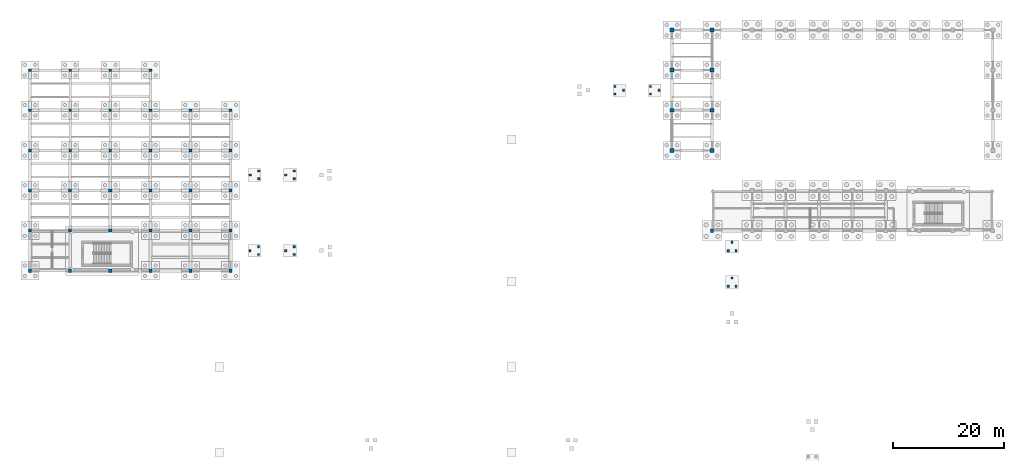
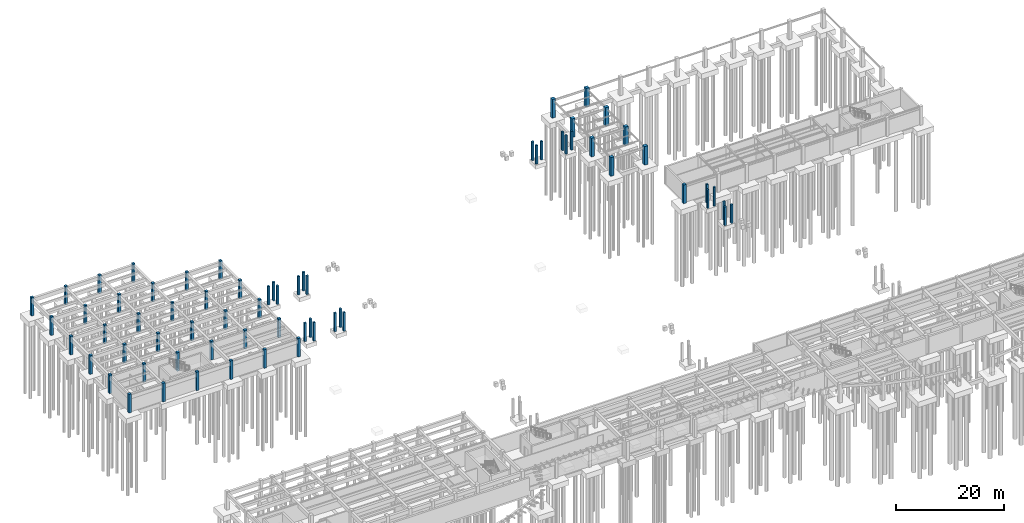
# One storey, part 9 of 31: 67 columns.
"""IFC4 building model written with IfcOpenShell, lengths in metres."""

import ifcopenshell
import ifcopenshell.guid

model = None  # the IFC model being written
_history = None  # IfcOwnerHistory: only IFC2X3 demands one
_inside = {}  # id of a spatial element -> (the spatial element, [elements in it])
_under = {}  # id of a project, library or spatial element -> (it, [spatial elements below it])
_declared = {}  # id of a project -> (the project, [libraries it declares])
_typed = {}  # id of a type object -> (the type object, [elements of that type])
_made_of = {}  # id of a material, layer set ... -> (it, [elements and type objects made of it])


def new_model(schema):
    """Start an empty IFC model of exactly this schema.

    Asked for "IFC4X3", IfcOpenShell would pick the latest addendum, in which some entities
    have other attributes; the version numbers below select the first issue.
    IFC2X3 requires an IfcOwnerHistory on every rooted entity: one is made here for all.
    """
    global model, _history
    if schema == "IFC4X3":
        model = ifcopenshell.file(schema_version=(4, 3, 0, 0))
    else:
        model = ifcopenshell.file(schema=schema)
    _inside.clear()
    _under.clear()
    _declared.clear()
    _typed.clear()
    _made_of.clear()
    _history = None
    if model.schema == "IFC2X3":
        org = make("IfcOrganization", Name="unknown")
        user = make(
            "IfcPersonAndOrganization",
            ThePerson=make("IfcPerson", FamilyName="unknown"),
            TheOrganization=org,
        )
        app = make(
            "IfcApplication",
            ApplicationDeveloper=org,
            Version="unknown",
            ApplicationFullName="unknown",
            ApplicationIdentifier="unknown",
        )
        _history = make(
            "IfcOwnerHistory",
            OwningUser=user,
            OwningApplication=app,
            ChangeAction="ADDED",
            CreationDate=0,
        )
    return model


def make(cls, **values):
    """One entity of the class cls with the attributes given. An attribute that is None is left unset."""
    return model.create_entity(
        cls, **{name: value for name, value in values.items() if value is not None}
    )


def rooted(cls, **values):
    """An entity with a GlobalId (a new one), such as an element, a storey or a relation."""
    return make(cls, GlobalId=ifcopenshell.guid.new(), OwnerHistory=_history, **values)


def si_unit(unit_type, name, prefix=None):
    """IfcSIUnit, for example si_unit("LENGTHUNIT", "METRE", prefix="MILLI")."""
    return make("IfcSIUnit", UnitType=unit_type, Prefix=prefix, Name=name)


def assignment(units):
    """IfcUnitAssignment: the units of a project."""
    return None if units is None else make("IfcUnitAssignment", Units=units)


def point(xyz):
    """IfcCartesianPoint."""
    return None if xyz is None else make("IfcCartesianPoint", Coordinates=xyz)


def direction(xyz):
    """IfcDirection."""
    return None if xyz is None else make("IfcDirection", DirectionRatios=xyz)


def frame(location, z_axis=None, x_axis=None):
    """IfcAxis2Placement3D, a coordinate frame: its origin and axes. An axis left out is left unset."""
    return make(
        "IfcAxis2Placement3D",
        Location=point(location),
        Axis=direction(z_axis),
        RefDirection=direction(x_axis),
    )


def frame_2d(location, x_axis=None):
    """IfcAxis2Placement2D, a coordinate frame in the plane: its origin and x axis."""
    return make(
        "IfcAxis2Placement2D", Location=point(location), RefDirection=direction(x_axis)
    )


def origin():
    """The frame at (0, 0, 0) with its axes left unset."""
    return frame((0.0, 0.0, 0.0))


def origin_2d():
    """The frame at (0, 0) in the plane with its x axis left unset."""
    return frame_2d((0.0, 0.0))


def place(relative_to, where):
    """IfcLocalPlacement: puts the frame where relative to a parent placement (None: the world)."""
    return make(
        "IfcLocalPlacement", PlacementRelTo=relative_to, RelativePlacement=where
    )


def context(
    kind, dimensions, precision=None, world=None, true_north=None, identifier=None
):
    """IfcGeometricRepresentationContext, for example the 3D "Model" context."""
    return make(
        "IfcGeometricRepresentationContext",
        ContextIdentifier=identifier,
        ContextType=kind,
        CoordinateSpaceDimension=dimensions,
        Precision=precision,
        WorldCoordinateSystem=world,
        TrueNorth=true_north,
    )


def subcontext(parent, identifier, kind, view, scale=None):
    """IfcGeometricRepresentationSubContext, for example "Body" below "Model"."""
    return make(
        "IfcGeometricRepresentationSubContext",
        ContextIdentifier=identifier,
        ContextType=kind,
        ParentContext=parent,
        TargetScale=scale,
        TargetView=view,
    )


def project(units=None, contexts=None):
    """IfcProject with its units and contexts."""
    return rooted(
        "IfcProject",
        Name="project",
        RepresentationContexts=contexts,
        UnitsInContext=assignment(units),
    )


def spatial(cls, under=None, at=None, **own):
    """A site, building, storey or space (cls), placed at a placement, below another one or the project."""
    s = rooted(cls, ObjectPlacement=at, **own)
    if under is not None:
        _under.setdefault(under.id(), (under, []))[1].append(s)
    return s


def profile(cls, at=None, kind="AREA", **sizes):
    """A parametric profile (cls). Its sizes go by their IFC names, for example OverallWidth=200.0."""
    return make(cls, ProfileType=kind, Position=at, **sizes)


def rectangle(**sizes):
    """IfcRectangleProfileDef."""
    return profile("IfcRectangleProfileDef", **sizes)


def extrude(swept, where, along, depth):
    """IfcExtrudedAreaSolid: the profile swept, set in the frame where, extruded along a direction by depth."""
    return make(
        "IfcExtrudedAreaSolid",
        SweptArea=swept,
        Position=where,
        ExtrudedDirection=direction(along),
        Depth=depth,
    )


def shape(context_of_items, identifier, shape_type, items):
    """IfcShapeRepresentation: the items that make up one representation, for example the "Body"."""
    return make(
        "IfcShapeRepresentation",
        ContextOfItems=context_of_items,
        RepresentationIdentifier=identifier,
        RepresentationType=shape_type,
        Items=items,
    )


def material(Name=None, Category=None):
    """IfcMaterial."""
    return make("IfcMaterial", Name=Name, Category=Category)


def material_profile(
    of_material, cross_section, Name=None, Category=None, Priority=None
):
    """IfcMaterialProfile: a cross section and its material."""
    return make(
        "IfcMaterialProfile",
        Name=Name,
        Material=of_material,
        Profile=cross_section,
        Priority=Priority,
        Category=Category,
    )


def profile_set(profiles, Name=None, composite=None):
    """IfcMaterialProfileSet."""
    return make(
        "IfcMaterialProfileSet",
        Name=Name,
        MaterialProfiles=profiles,
        CompositeProfile=composite,
    )


def made_of(thing, what):
    """Note that an element or type object is made of a material, layer set ...; save() writes the relation."""
    if what is not None:
        _made_of.setdefault(what.id(), (what, []))[1].append(thing)
    return thing


def type_object(cls, material=None, **own):
    """A type object (cls), such as IfcWallType, which elements share."""
    return made_of(rooted(cls, **own), material)


def element(
    cls,
    number,
    at=None,
    inside=None,
    cuts=None,
    type_object=None,
    material=None,
    context=None,
    identifier="Body",
    shape_type=None,
    held_by="IfcProductDefinitionShape",
    body=None,
    shapes=None,
    **own,
):
    """One element of the class cls, such as IfcWall. Its Tag is "e" and its number.

    at: its placement. inside: the storey or other place that contains it. cuts: it is an
    opening in that element (IfcRelVoidsElement). A single representation is given by context,
    identifier, shape_type and body (its items); several are given by shapes. held_by: the class
    of the entity that holds the representations. save() writes the other relations.
    """
    e = rooted(cls, Tag="e%d" % number, ObjectPlacement=at, **own)
    if body is not None:
        shapes = [shape(context, identifier, shape_type, body)]
    if shapes is not None:
        e.Representation = make(held_by, Representations=shapes)
    if inside is not None:
        _inside.setdefault(inside.id(), (inside, []))[1].append(e)
    if cuts is not None:
        rooted(
            "IfcRelVoidsElement", RelatingBuildingElement=cuts, RelatedOpeningElement=e
        )
    if type_object is not None:
        _typed.setdefault(type_object.id(), (type_object, []))[1].append(e)
    return made_of(e, material)


def aggregate(whole, parts):
    """IfcRelAggregates: a whole, such as a stair, and the parts it consists of."""
    return rooted("IfcRelAggregates", RelatingObject=whole, RelatedObjects=parts)


def save(model, path):
    """Write the relations noted so far, then the file.

    IfcRelAggregates (storeys below a building ...), IfcRelContainedInSpatialStructure (elements
    in a storey), IfcRelDefinesByType, IfcRelAssociatesMaterial and IfcRelDeclares: one each for
    every whole, place, type object, material and project.
    """
    for whole, parts in _under.values():
        aggregate(whole, parts)
    for where, things in _inside.values():
        rooted(
            "IfcRelContainedInSpatialStructure",
            RelatedElements=things,
            RelatingStructure=where,
        )
    for kind, things in _typed.values():
        rooted("IfcRelDefinesByType", RelatedObjects=things, RelatingType=kind)
    for what, things in _made_of.values():
        rooted("IfcRelAssociatesMaterial", RelatedObjects=things, RelatingMaterial=what)
    for by, libraries in _declared.values():
        rooted("IfcRelDeclares", RelatingContext=by, RelatedDefinitions=libraries)
    model.write(path)


model = new_model("IFC4")

# Units and contexts
model_context = context("Model", 3, precision=1e-05, world=origin(), true_north=direction((0.0, 1.0)))
body_context = subcontext(model_context, "Body", "Model", "MODEL_VIEW")
ifc_project = project(units=[si_unit("LENGTHUNIT", "METRE"), si_unit("AREAUNIT", "SQUARE_METRE"), si_unit("VOLUMEUNIT", "CUBIC_METRE"), si_unit("PLANEANGLEUNIT", "RADIAN"), si_unit("MASSUNIT", "GRAM", prefix="KILO")], contexts=[model_context])

# Site, building, storey
site_placement = place(None, origin())
site = spatial("IfcSite", under=ifc_project, at=site_placement, CompositionType="ELEMENT")
building_placement = place(site_placement, origin())
building = spatial("IfcBuilding", under=site, at=building_placement, Name="Brisavento Harbour Community Centre", CompositionType="ELEMENT")
storey_placement = place(building_placement, frame((0.0, 0.0, -4.199951171875)))
storey = spatial("IfcBuildingStorey", under=building, at=storey_placement, Name="B1", CompositionType="ELEMENT", Elevation=-4.199951171875)

# Columns
ifc_material_1 = material(Name="Concrete C35/45", Category="concrete")
ifc_material_profile_1 = material_profile(ifc_material_1, rectangle(XDim=0.39990234375, YDim=0.39990234375, at=origin_2d()), Name="Concrete C35/45")
ifc_profile_set_1 = profile_set([ifc_material_profile_1], Name="Concrete C35/45")
column_type_1 = type_object("IfcColumnType", Name="COL-RC-400", PredefinedType="COLUMN", material=ifc_profile_set_1)
for number, where, z_axis, x_axis, name in (
    (1, (126.68994140625, 69.199951171875, 0.0), (0.0, 0.0, 1.0), (1.0, 0.0, 0.0), "MST-03 MID support column 1 B1"),
    (2, (125.31005859375, 69.199951171875, 0.0), (0.0, 0.0, 1.0), (1.0, 0.0, 0.0), "MST-03 MID support column 2 B1"),
    (3, (126.0, 70.7099609375, 0.0), (0.0, 0.0, 1.0), (1.0, 0.0, 0.0), "MST-03 MID support column 3 B1"),
    (4, (126.68994140625, 75.590087890625, 0.0), (0.0, 0.0, 1.0), (1.0, 0.0, 0.0), "MST-03 TOP support column 1 B1"),
    (5, (125.31005859375, 75.590087890625, 0.0), (0.0, 0.0, 1.0), (1.0, 0.0, 0.0), "MST-03 TOP support column 2 B1"),
    (6, (126.0, 77.10009765625, 0.0), (0.0, 0.0, 1.0), (1.0, 0.0, 0.0), "MST-03 TOP support column 3 B1"),
    (7, (47.39990234375, 76.2900390625, 0.0), (0.0, 0.0, 1.0), (1.0, 0.0, 0.0), "MST-04 MID support column 1 B1"),
    (8, (47.39990234375, 74.909912109375, 0.0), (0.0, 0.0, 1.0), (1.0, 0.0, 0.0), "MST-04 MID support column 2 B1"),
    (9, (45.889892578125, 75.60009765625, 0.0), (0.0, 0.0, 1.0), (1.0, 0.0, 0.0), "MST-04 MID support column 3 B1"),
    (10, (41.010009765625, 76.2900390625, 0.0), (0.0, 0.0, 1.0), (1.0, 0.0, 0.0), "MST-04 TOP support column 1 B1"),
    (11, (41.010009765625, 74.909912109375, 0.0), (0.0, 0.0, 1.0), (1.0, 0.0, 0.0), "MST-04 TOP support column 2 B1"),
    (12, (39.5, 75.60009765625, 0.0), (0.0, 0.0, 1.0), (1.0, 0.0, 0.0), "MST-04 TOP support column 3 B1"),
    (13, (105.0, 103.719970703125, 0.0), (0.0, 0.0, 1.0), (1.0, 0.0, 0.0), "MST-06 MID support column 1 B1"),
    (14, (105.0, 105.080078125, 0.0), (0.0, 0.0, 1.0), (1.0, 0.0, 0.0), "MST-06 MID support column 2 B1"),
    (15, (106.489990234375, 104.39990234375, 0.0), (0.0, 0.0, 1.0), (1.0, 0.0, 0.0), "MST-06 MID support column 3 B1"),
    (16, (111.3701171875, 103.719970703125, 0.0), (0.0, 0.0, 1.0), (1.0, 0.0, 0.0), "MST-06 TOP support column 1 B1"),
    (17, (111.3701171875, 105.080078125, 0.0), (0.0, 0.0, 1.0), (1.0, 0.0, 0.0), "MST-06 TOP support column 2 B1"),
    (18, (112.860107421875, 104.39990234375, 0.0), (0.0, 0.0, 1.0), (1.0, 0.0, 0.0), "MST-06 TOP support column 3 B1"),
    (19, (47.39990234375, 89.8798828125, 0.0), (0.0, 0.0, 1.0), (1.0, 0.0, 0.0), "MST-07 MID support column 1 B1"),
    (20, (47.39990234375, 88.52001953125, 0.0), (0.0, 0.0, 1.0), (1.0, 0.0, 0.0), "MST-07 MID support column 2 B1"),
    (21, (45.909912109375, 89.199951171875, 0.0), (0.0, 0.0, 1.0), (1.0, 0.0, 0.0), "MST-07 MID support column 3 B1"),
    (22, (41.030029296875, 89.8798828125, 0.0), (0.0, 0.0, 1.0), (1.0, 0.0, 0.0), "MST-07 TOP support column 1 B1"),
    (23, (41.030029296875, 88.52001953125, 0.0), (0.0, 0.0, 1.0), (1.0, 0.0, 0.0), "MST-07 TOP support column 2 B1"),
    (24, (39.5400390625, 89.199951171875, 0.0), (0.0, 0.0, 1.0), (1.0, 0.0, 0.0), "MST-07 TOP support column 3 B1"),
):
    element("IfcColumn", number, at=place(storey_placement, frame(where, z_axis=z_axis, x_axis=x_axis)), inside=storey, type_object=column_type_1, Name=name, PredefinedType="COLUMN", context=body_context, shape_type="SweptSolid", body=[
        extrude(rectangle(XDim=0.39990234375, YDim=0.39990234375, at=origin_2d()), origin(), (0.0, 0.0, 1.0), 4.199951171875),
    ])
ifc_material_profile_2 = material_profile(ifc_material_1, rectangle(XDim=0.5, YDim=0.5, at=origin_2d()), Name="Concrete C35/45")
ifc_profile_set_2 = profile_set([ifc_material_profile_2], Name="Concrete C35/45")
column_type_2 = type_object("IfcColumnType", Name="COL-RC-500", PredefinedType="COLUMN", material=ifc_profile_set_2)
for number, where, z_axis, x_axis, name in (
    (25, (0.0, 93.60009765625, 0.0), (0.0, 0.0, 1.0), (1.0, 0.0, 0.0), "B1 column V5N-0-93"),
    (26, (0.0, 100.800048828125, 0.0), (0.0, 0.0, 1.0), (1.0, 0.0, 0.0), "B1 column V5N-0-100"),
    (27, (7.199951171875, 93.60009765625, 0.0), (0.0, 0.0, 1.0), (1.0, 0.0, 0.0), "B1 column V5N-7-93"),
    (28, (7.199951171875, 100.800048828125, 0.0), (0.0, 0.0, 1.0), (1.0, 0.0, 0.0), "B1 column V5N-7-100"),
    (29, (14.39990234375, 93.60009765625, 0.0), (0.0, 0.0, 1.0), (1.0, 0.0, 0.0), "B1 column V5N-14-93"),
    (30, (14.39990234375, 100.800048828125, 0.0), (0.0, 0.0, 1.0), (1.0, 0.0, 0.0), "B1 column V5N-14-100"),
    (31, (21.60009765625, 93.60009765625, 0.0), (0.0, 0.0, 1.0), (1.0, 0.0, 0.0), "B1 column V5N-21-93"),
    (32, (21.60009765625, 100.800048828125, 0.0), (0.0, 0.0, 1.0), (1.0, 0.0, 0.0), "B1 column V5N-21-100"),
    (33, (28.800048828125, 93.60009765625, 0.0), (0.0, 0.0, 1.0), (1.0, 0.0, 0.0), "B1 column V5N-28-93"),
    (34, (28.800048828125, 100.800048828125, 0.0), (0.0, 0.0, 1.0), (1.0, 0.0, 0.0), "B1 column V5N-28-100"),
    (35, (36.0, 93.60009765625, 0.0), (0.0, 0.0, 1.0), (1.0, 0.0, 0.0), "B1 column V5N-36-93"),
    (36, (36.0, 100.800048828125, 0.0), (0.0, 0.0, 1.0), (1.0, 0.0, 0.0), "B1 column V5N-36-100"),
    (37, (0.0, 108.0, 0.0), (0.0, 0.0, 1.0), (1.0, 0.0, 0.0), "B1 column V5NP-0"),
    (38, (7.199951171875, 108.0, 0.0), (0.0, 0.0, 1.0), (1.0, 0.0, 0.0), "B1 column V5NP-7"),
    (39, (14.39990234375, 108.0, 0.0), (0.0, 0.0, 1.0), (1.0, 0.0, 0.0), "B1 column V5NP-14"),
    (40, (21.60009765625, 108.0, 0.0), (0.0, 0.0, 1.0), (1.0, 0.0, 0.0), "B1 column V5NP-21"),
):
    element("IfcColumn", number, at=place(storey_placement, frame(where, z_axis=z_axis, x_axis=x_axis)), inside=storey, type_object=column_type_2, Name=name, PredefinedType="COLUMN", context=body_context, shape_type="SweptSolid", body=[
        extrude(rectangle(XDim=0.5, YDim=0.5, at=origin_2d()), origin(), (0.0, 0.0, 1.0), 4.199951171875),
    ])
ifc_material_profile_3 = material_profile(ifc_material_1, rectangle(XDim=0.550048828125, YDim=0.550048828125, at=origin_2d()), Name="Concrete C35/45")
ifc_profile_set_3 = profile_set([ifc_material_profile_3], Name="Concrete C35/45")
column_type_3 = type_object("IfcColumnType", Name="COL-RC-550", PredefinedType="COLUMN", material=ifc_profile_set_3)
for number, where, z_axis, x_axis, name in (
    (41, (0.0, 72.0, 0.0), (0.0, 0.0, 1.0), (1.0, 0.0, 0.0), "B1 column V5-0-72"),
    (42, (0.0, 79.199951171875, 0.0), (0.0, 0.0, 1.0), (1.0, 0.0, 0.0), "B1 column V5-0-79"),
    (43, (0.0, 86.39990234375, 0.0), (0.0, 0.0, 1.0), (1.0, 0.0, 0.0), "B1 column V5-0-86"),
    (44, (7.199951171875, 72.0, 0.0), (0.0, 0.0, 1.0), (1.0, 0.0, 0.0), "B1 column V5-7-72"),
    (45, (7.199951171875, 79.199951171875, 0.0), (0.0, 0.0, 1.0), (1.0, 0.0, 0.0), "B1 column V5-7-79"),
    (46, (7.199951171875, 86.39990234375, 0.0), (0.0, 0.0, 1.0), (1.0, 0.0, 0.0), "B1 column V5-7-86"),
    (47, (14.39990234375, 72.0, 0.0), (0.0, 0.0, 1.0), (1.0, 0.0, 0.0), "B1 column V5-14-72"),
    (48, (14.39990234375, 79.199951171875, 0.0), (0.0, 0.0, 1.0), (1.0, 0.0, 0.0), "B1 column V5-14-79"),
    (49, (14.39990234375, 86.39990234375, 0.0), (0.0, 0.0, 1.0), (1.0, 0.0, 0.0), "B1 column V5-14-86"),
    (50, (21.60009765625, 72.0, 0.0), (0.0, 0.0, 1.0), (1.0, 0.0, 0.0), "B1 column V5-21-72"),
    (51, (21.60009765625, 79.199951171875, 0.0), (0.0, 0.0, 1.0), (1.0, 0.0, 0.0), "B1 column V5-21-79"),
    (52, (21.60009765625, 86.39990234375, 0.0), (0.0, 0.0, 1.0), (1.0, 0.0, 0.0), "B1 column V5-21-86"),
    (53, (28.800048828125, 72.0, 0.0), (0.0, 0.0, 1.0), (1.0, 0.0, 0.0), "B1 column V5-28-72"),
    (54, (28.800048828125, 79.199951171875, 0.0), (0.0, 0.0, 1.0), (1.0, 0.0, 0.0), "B1 column V5-28-79"),
    (55, (28.800048828125, 86.39990234375, 0.0), (0.0, 0.0, 1.0), (1.0, 0.0, 0.0), "B1 column V5-28-86"),
    (56, (36.0, 72.0, 0.0), (0.0, 0.0, 1.0), (1.0, 0.0, 0.0), "B1 column V5-36-72"),
    (57, (36.0, 79.199951171875, 0.0), (0.0, 0.0, 1.0), (1.0, 0.0, 0.0), "B1 column V5-36-79"),
    (58, (36.0, 86.39990234375, 0.0), (0.0, 0.0, 1.0), (1.0, 0.0, 0.0), "B1 column V5-36-86"),
):
    element("IfcColumn", number, at=place(storey_placement, frame(where, z_axis=z_axis, x_axis=x_axis)), inside=storey, type_object=column_type_3, Name=name, PredefinedType="COLUMN", context=body_context, shape_type="SweptSolid", body=[
        extrude(rectangle(XDim=0.550048828125, YDim=0.550048828125, at=origin_2d()), origin(), (0.0, 0.0, 1.0), 4.199951171875),
    ])
ifc_material_profile_4 = material_profile(ifc_material_1, rectangle(XDim=0.60009765625, YDim=0.60009765625, at=origin_2d()), Name="Concrete C35/45")
ifc_profile_set_4 = profile_set([ifc_material_profile_4], Name="Concrete C35/45")
column_type_4 = type_object("IfcColumnType", Name="COL-RC-600", PredefinedType="COLUMN", material=ifc_profile_set_4)
column_placement = place(storey_placement, frame((122.39990234375, 79.199951171875, 0.0), z_axis=(0.0, 0.0, 1.0), x_axis=(1.0, 0.0, 0.0)))
element("IfcColumn", 59, at=column_placement, inside=storey, type_object=column_type_4, Name="B1 column V4SW-PROW", PredefinedType="COLUMN", context=body_context, shape_type="SweptSolid", body=[
    extrude(rectangle(XDim=0.60009765625, YDim=0.60009765625, at=origin_2d()), origin(), (0.0, 0.0, 1.0), 4.199951171875),
])
ifc_material_2 = material(Name="Concrete C40/50", Category="concrete")
ifc_material_profile_5 = material_profile(ifc_material_2, rectangle(XDim=0.699951171875, YDim=0.699951171875, at=origin_2d()), Name="Concrete C40/50")
ifc_profile_set_5 = profile_set([ifc_material_profile_5], Name="Concrete C40/50")
column_type_5 = type_object("IfcColumnType", Name="COL-RC-700", PredefinedType="COLUMN", material=ifc_profile_set_5)
for number, where, z_axis, x_axis, name in (
    (60, (115.199951171875, 93.60009765625, 0.0), (0.0, 0.0, 1.0), (1.0, 0.0, 0.0), "B1 column V4W1-93"),
    (61, (122.39990234375, 93.60009765625, 0.0), (0.0, 0.0, 1.0), (1.0, 0.0, 0.0), "B1 column V4W2-93"),
    (62, (115.199951171875, 100.800048828125, 0.0), (0.0, 0.0, 1.0), (1.0, 0.0, 0.0), "B1 column V4W1-100"),
    (63, (122.39990234375, 100.800048828125, 0.0), (0.0, 0.0, 1.0), (1.0, 0.0, 0.0), "B1 column V4W2-100"),
    (64, (115.199951171875, 108.0, 0.0), (0.0, 0.0, 1.0), (1.0, 0.0, 0.0), "B1 column V4W1-108"),
    (65, (122.39990234375, 108.0, 0.0), (0.0, 0.0, 1.0), (1.0, 0.0, 0.0), "B1 column V4W2-108"),
    (66, (115.199951171875, 115.199951171875, 0.0), (0.0, 0.0, 1.0), (1.0, 0.0, 0.0), "B1 column V4W1-115"),
    (67, (122.39990234375, 115.199951171875, 0.0), (0.0, 0.0, 1.0), (1.0, 0.0, 0.0), "B1 column V4W2-115"),
):
    element("IfcColumn", number, at=place(storey_placement, frame(where, z_axis=z_axis, x_axis=x_axis)), inside=storey, type_object=column_type_5, Name=name, PredefinedType="COLUMN", context=body_context, shape_type="SweptSolid", body=[
        extrude(rectangle(XDim=0.699951171875, YDim=0.699951171875, at=origin_2d()), origin(), (0.0, 0.0, 1.0), 4.199951171875),
    ])

save(model, "model.ifc")
